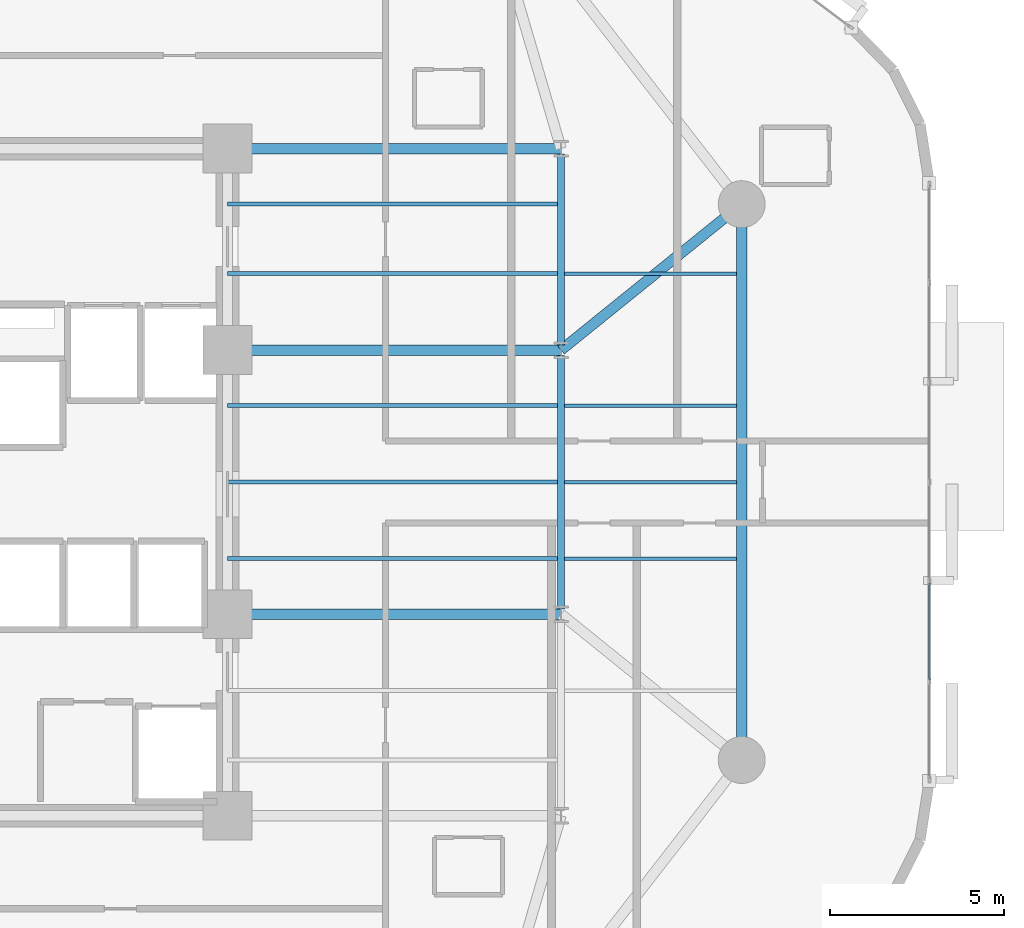
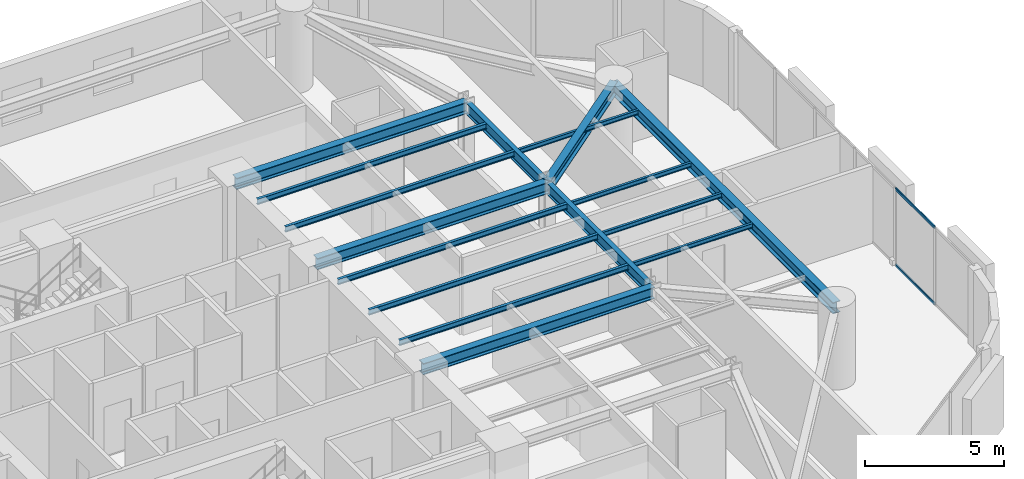
# One storey, part 5 of 16: 16 beams, 2 members, 1 element without a shape of its own.
"""IFC4 building model written with IfcOpenShell, lengths in metres."""

from ifc_helpers import new_model, si_unit, direction, frame, origin, origin_2d, place, context, subcontext, project, spatial, hollow_rectangle, i_section, extrude, material, layer, layer_set, material_profile, profile_set, type_object, element, aggregate, save


model = new_model("IFC4")

# Units and contexts
model_context = context("Model", 3, precision=1e-05, world=origin(), true_north=direction((0.0, 1.0)))
body_context = subcontext(model_context, "Body", "Model", "MODEL_VIEW")
ifc_project = project(units=[si_unit("LENGTHUNIT", "METRE"), si_unit("AREAUNIT", "SQUARE_METRE"), si_unit("VOLUMEUNIT", "CUBIC_METRE"), si_unit("PLANEANGLEUNIT", "RADIAN"), si_unit("MASSUNIT", "GRAM", prefix="KILO")], contexts=[model_context])

# Site, building, storey
site_placement = place(None, origin())
site = spatial("IfcSite", under=ifc_project, at=site_placement, CompositionType="ELEMENT")
building_placement = place(site_placement, origin())
building = spatial("IfcBuilding", under=site, at=building_placement, Name="An Khanh Terracotta Commons", CompositionType="ELEMENT")
storey_placement = place(building_placement, frame((0.0, 0.0, 97.10009765625)))
storey = spatial("IfcBuildingStorey", under=building, at=storey_placement, Name="L25", CompositionType="ELEMENT", Elevation=97.10009765625)

# Beams
ifc_material_1 = material(Name="Steel S355J2", Category="steel")
ifc_material_profile_1 = material_profile(ifc_material_1, i_section(OverallWidth=0.300048828125, OverallDepth=0.5, WebThickness=0.014404296875, FlangeThickness=0.028076171875, FilletRadius=0.027099609375, at=origin_2d()), Name="HEB500")
ifc_profile_set_1 = profile_set([ifc_material_profile_1], Name="Steel S355J2")
beam_type_1 = type_object("IfcBeamType", Name="BM-HEB500", PredefinedType="BEAM", material=ifc_profile_set_1)
beam_1_placement = place(storey_placement, frame((52.0, 16.0, 3.14990234375), z_axis=(0.0, 1.0, 0.0), x_axis=(-1.0, 0.0, 0.0)))
element("IfcBeam", 1, at=beam_1_placement, inside=storey, type_object=beam_type_1, Name="L25 Perimeter Ring Spandrel 3", PredefinedType="BEAM", context=body_context, shape_type="SweptSolid", body=[
    extrude(i_section(OverallWidth=0.300048828125, OverallDepth=0.5, WebThickness=0.014404296875, FlangeThickness=0.028076171875, FilletRadius=0.027099609375, at=origin_2d()), origin(), (0.0, 0.0, 1.0), 16.0),
])
for number, where, z_axis, x_axis, name in (
    (2, (37.199951171875, 20.199951171875, 3.14990234375), (1.0, 0.0, 0.0), (0.0, 1.0, 0.0), "L25 East Primary Floor Girder 2"),
    (3, (37.199951171875, 27.800048828125, 3.14990234375), (1.0, 0.0, 0.0), (0.0, 1.0, 0.0), "L25 East Primary Floor Girder 3"),
    (4, (37.199951171875, 33.60009765625, 3.14990234375), (1.0, 0.0, 0.0), (0.0, 1.0, 0.0), "L25 East Primary Floor Girder 4"),
):
    element("IfcBeam", number, at=place(storey_placement, frame(where, z_axis=z_axis, x_axis=x_axis)), inside=storey, type_object=beam_type_1, Name=name, PredefinedType="BEAM", context=body_context, shape_type="SweptSolid", body=[
        extrude(i_section(OverallWidth=0.300048828125, OverallDepth=0.5, WebThickness=0.014404296875, FlangeThickness=0.028076171875, FilletRadius=0.027099609375, at=origin_2d()), origin(), (0.0, 0.0, 1.0), 9.60009765625),
    ])
beam_2_placement = place(storey_placement, frame((52.0, 32.0, 3.14990234375), z_axis=(-0.777941866883, -0.628336256913, 0.0), x_axis=(0.628336256913, -0.777941866883, 0.0)))
element("IfcBeam", 5, at=beam_2_placement, inside=storey, type_object=beam_type_1, Name="L25 Mega-Column Tie Girder 4", PredefinedType="BEAM", context=body_context, shape_type="SweptSolid", body=[
    extrude(i_section(OverallWidth=0.300048828125, OverallDepth=0.5, WebThickness=0.014404296875, FlangeThickness=0.028076171875, FilletRadius=0.027099609375, at=origin_2d()), origin(), (0.0, 0.0, 1.0), 6.684326171875),
])
ifc_material_profile_2 = material_profile(ifc_material_1, i_section(OverallWidth=0.10009765625, OverallDepth=0.199951171875, WebThickness=0.005615234375, FlangeThickness=0.008544921875, FilletRadius=0.011962890625, at=origin_2d()), Name="IPE200")
ifc_profile_set_2 = profile_set([ifc_material_profile_2], Name="Steel S355J2")
beam_type_2 = type_object("IfcBeamType", Name="BM-IPE200", PredefinedType="JOIST", material=ifc_profile_set_2)
for number, where, z_axis, x_axis, name in (
    (6, (46.89990234375, 21.800048828125, 3.2998046875), (1.0, 0.0, 0.0), (0.0, 1.0, 0.0), "L25 Riverfront Composite Joist 3"),
    (7, (46.89990234375, 24.0, 3.2998046875), (1.0, 0.0, 0.0), (0.0, 1.0, 0.0), "L25 Riverfront Composite Joist 4"),
    (8, (46.89990234375, 26.199951171875, 3.2998046875), (1.0, 0.0, 0.0), (0.0, 1.0, 0.0), "L25 Riverfront Composite Joist 5"),
    (9, (46.89990234375, 30.0, 3.2998046875), (1.0, 0.0, 0.0), (0.0, 1.0, 0.0), "L25 Riverfront Composite Joist 6"),
):
    element("IfcBeam", number, at=place(storey_placement, frame(where, z_axis=z_axis, x_axis=x_axis)), inside=storey, type_object=beam_type_2, Name=name, PredefinedType="JOIST", context=body_context, shape_type="SweptSolid", body=[
        extrude(i_section(OverallWidth=0.10009765625, OverallDepth=0.199951171875, WebThickness=0.005615234375, FlangeThickness=0.008544921875, FilletRadius=0.011962890625, at=origin_2d()), origin(), (0.0, 0.0, 1.0), 4.9501953125),
    ])
ifc_material_profile_3 = material_profile(ifc_material_1, i_section(OverallWidth=0.1201171875, OverallDepth=0.239990234375, WebThickness=0.006103515625, FlangeThickness=0.009765625, FilletRadius=0.014892578125, at=origin_2d()), Name="IPE240")
ifc_profile_set_3 = profile_set([ifc_material_profile_3], Name="Steel S355J2")
beam_type_3 = type_object("IfcBeamType", Name="BM-IPE240", PredefinedType="JOIST", material=ifc_profile_set_3)
for number, where, z_axis, x_axis, name in (
    (10, (37.199951171875, 21.800048828125, 3.27978515625), (1.0, 0.0, 0.0), (0.0, 1.0, 0.0), "L25 Inboard Composite Joist 3"),
    (11, (37.199951171875, 24.0, 3.27978515625), (1.0, 0.0, 0.0), (0.0, 1.0, 0.0), "L25 Inboard Composite Joist 4"),
    (12, (37.199951171875, 26.199951171875, 3.27978515625), (1.0, 0.0, 0.0), (0.0, 1.0, 0.0), "L25 Inboard Composite Joist 5"),
    (13, (37.199951171875, 30.0, 3.27978515625), (1.0, 0.0, 0.0), (0.0, 1.0, 0.0), "L25 Inboard Composite Joist 6"),
    (14, (37.199951171875, 32.0, 3.27978515625), (1.0, 0.0, 0.0), (0.0, 1.0, 0.0), "L25 Inboard Composite Joist 7"),
):
    element("IfcBeam", number, at=place(storey_placement, frame(where, z_axis=z_axis, x_axis=x_axis)), inside=storey, type_object=beam_type_3, Name=name, PredefinedType="JOIST", context=body_context, shape_type="SweptSolid", body=[
        extrude(i_section(OverallWidth=0.1201171875, OverallDepth=0.239990234375, WebThickness=0.006103515625, FlangeThickness=0.009765625, FilletRadius=0.014892578125, at=origin_2d()), origin(), (0.0, 0.0, 1.0), 9.5),
    ])
ifc_material_profile_4 = material_profile(ifc_material_1, i_section(OverallWidth=0.199951171875, OverallDepth=0.5, WebThickness=0.01025390625, FlangeThickness=0.01611328125, FilletRadius=0.02099609375, at=origin_2d()), Name="IPE500")
ifc_profile_set_4 = profile_set([ifc_material_profile_4], Name="Steel S355J2")
beam_type_4 = type_object("IfcBeamType", Name="BM-IPE500", PredefinedType="BEAM", material=ifc_profile_set_4)
beam_3_placement = place(storey_placement, frame((46.800048828125, 20.35009765625, 3.14990234375), z_axis=(0.0, 1.0, 0.0), x_axis=(-1.0, 0.0, 0.0)))
element("IfcBeam", 15, at=beam_3_placement, inside=storey, type_object=beam_type_4, Name="L25 East Spine Girder 2", PredefinedType="BEAM", context=body_context, shape_type="SweptSolid", body=[
    extrude(i_section(OverallWidth=0.199951171875, OverallDepth=0.5, WebThickness=0.01025390625, FlangeThickness=0.01611328125, FilletRadius=0.02099609375, at=origin_2d()), origin(), (0.0, 0.0, 1.0), 7.2998046875),
])
beam_4_placement = place(storey_placement, frame((46.800048828125, 27.949951171875, 3.14990234375), z_axis=(0.0, 1.0, 0.0), x_axis=(-1.0, 0.0, 0.0)))
element("IfcBeam", 16, at=beam_4_placement, inside=storey, type_object=beam_type_4, Name="L25 East Spine Girder 3", PredefinedType="BEAM", context=body_context, shape_type="SweptSolid", body=[
    extrude(i_section(OverallWidth=0.199951171875, OverallDepth=0.5, WebThickness=0.01025390625, FlangeThickness=0.01611328125, FilletRadius=0.02099609375, at=origin_2d()), origin(), (0.0, 0.0, 1.0), 5.5),
])

# Curtain wall, members
ifc_material_2 = material(Name="Anodised Aluminium 6063-T6", Category="aluminium")
ifc_layer = layer(ifc_material_2, 0.199951171875, Name="Anodised Aluminium 6063-T6")
ifc_layer_set = layer_set([ifc_layer], Name="Anodised Aluminium 6063-T6")
curtain_wall_type = type_object("IfcCurtainWallType", Name="CW-SYS-02", PredefinedType="USERDEFINED", material=ifc_layer_set)
curtain_wall_placement = place(storey_placement, origin())
curtain_wall = element("IfcCurtainWall", 17, at=curtain_wall_placement, inside=storey, type_object=curtain_wall_type, Name="L25 CW-02 Unitised Curtain Wall CW-L25-12", ObjectType="UNITISED CURTAIN WALL", PredefinedType="USERDEFINED")
ifc_material_profile_5 = material_profile(ifc_material_2, hollow_rectangle(XDim=0.06005859375, YDim=0.1201171875, WallThickness=0.003662109375, InnerFilletRadius=0.003662109375, OuterFilletRadius=0.007080078125, at=origin_2d()), Name="RHS120x60x3.6")
ifc_profile_set_5 = profile_set([ifc_material_profile_5], Name="Anodised Aluminium 6063-T6")
member_type = type_object("IfcMemberType", Name="CWT-RHS120x60x3.6", PredefinedType="USERDEFINED", material=ifc_profile_set_5)
member_1_placement = place(storey_placement, frame((57.39990234375, 18.3017578125, 0.02978515625), z_axis=(0.0, 1.0, 0.0), x_axis=(-1.0, 0.0, 0.0)))
member_1 = element("IfcMember", 18, at=member_1_placement, type_object=member_type, Name="CW-02 transom 2.1", ObjectType="TRANSOM", PredefinedType="USERDEFINED", context=body_context, shape_type="SweptSolid", body=[
    extrude(hollow_rectangle(XDim=0.06005859375, YDim=0.1201171875, WallThickness=0.003662109375, InnerFilletRadius=0.003662109375, OuterFilletRadius=0.007080078125, at=origin_2d()), origin(), (0.0, 0.0, 1.0), 2.796630859375),
])
member_2_placement = place(storey_placement, frame((57.39990234375, 18.3017578125, 3.369873046875), z_axis=(0.0, 1.0, 0.0), x_axis=(-1.0, 0.0, 0.0)))
member_2 = element("IfcMember", 19, at=member_2_placement, type_object=member_type, Name="CW-02 transom 2.2", ObjectType="TRANSOM", PredefinedType="USERDEFINED", context=body_context, shape_type="SweptSolid", body=[
    extrude(hollow_rectangle(XDim=0.06005859375, YDim=0.1201171875, WallThickness=0.003662109375, InnerFilletRadius=0.003662109375, OuterFilletRadius=0.007080078125, at=origin_2d()), origin(), (0.0, 0.0, 1.0), 2.796630859375),
])
aggregate(curtain_wall, [member_1, member_2])

save(model, "model.ifc")
